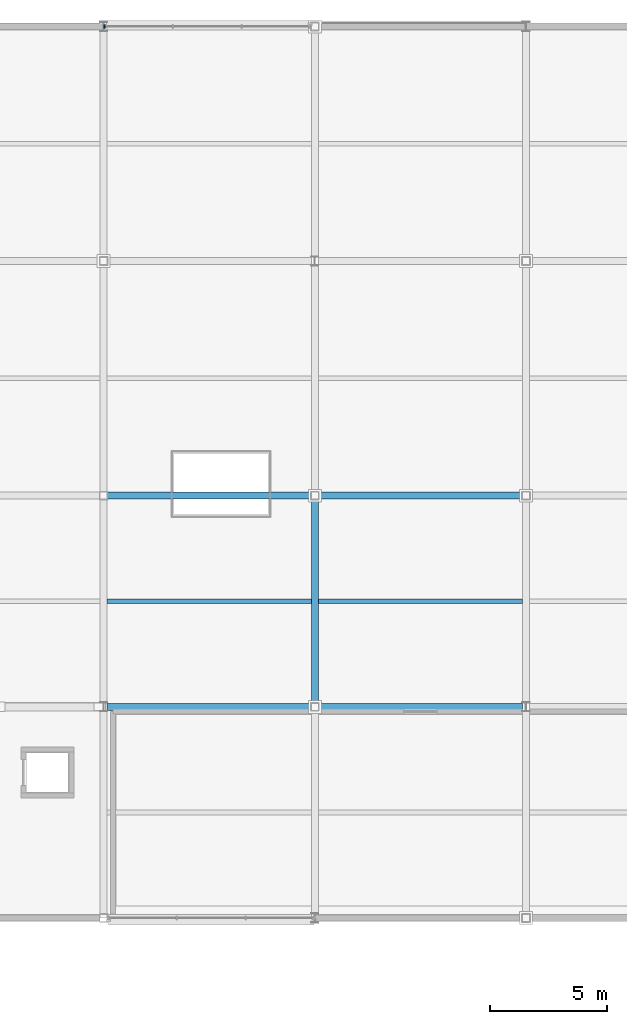
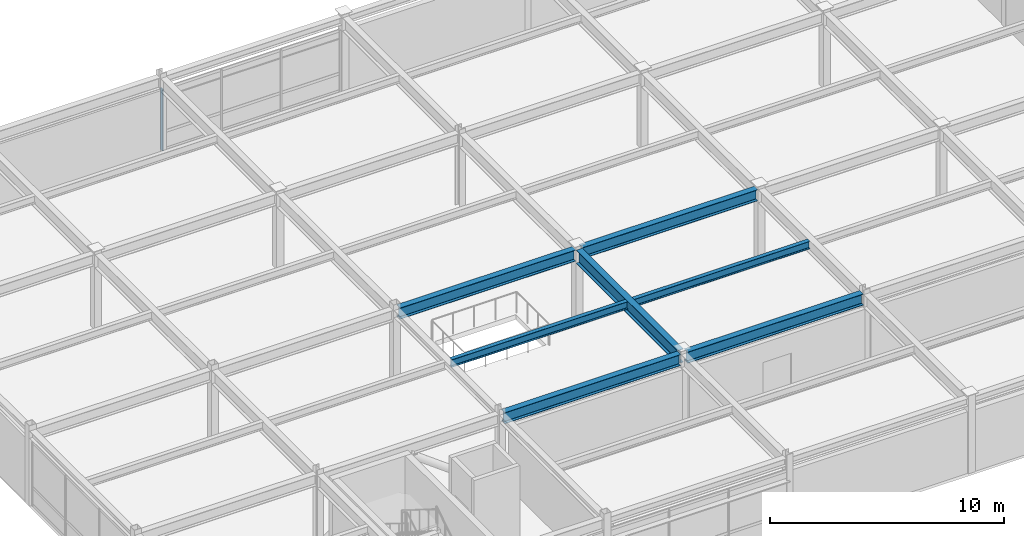
# One storey, part 22 of 40: 7 beams, 1 member, 1 element without a shape of its own.
"""IFC4 building model written with IfcOpenShell, lengths in metres."""

from ifc_helpers import new_model, si_unit, direction, frame, origin, origin_2d, place, context, subcontext, project, spatial, rectangle, i_section, extrude, material, material_profile, profile_set, type_object, element, aggregate, save


model = new_model("IFC4")

# Units and contexts
model_context = context("Model", 3, precision=1e-05, world=origin(), true_north=direction((0.0, 1.0)))
body_context = subcontext(model_context, "Body", "Model", "MODEL_VIEW")
ifc_project = project(units=[si_unit("LENGTHUNIT", "METRE"), si_unit("AREAUNIT", "SQUARE_METRE"), si_unit("VOLUMEUNIT", "CUBIC_METRE"), si_unit("PLANEANGLEUNIT", "RADIAN"), si_unit("MASSUNIT", "GRAM", prefix="KILO")], contexts=[model_context])

# Site, building, storey
site_placement = place(None, origin())
site = spatial("IfcSite", under=ifc_project, at=site_placement, CompositionType="ELEMENT")
building_placement = place(site_placement, origin())
building = spatial("IfcBuilding", under=site, at=building_placement, Name="Suzunagisa Mobility Hub", CompositionType="ELEMENT")
storey_placement = place(building_placement, frame((0.0, 0.0, 21.89990234375)))
storey = spatial("IfcBuildingStorey", under=building, at=storey_placement, Name="L05", CompositionType="ELEMENT", Elevation=21.89990234375)

# Curtain wall, member
ifc_material_1 = material(Name="Thermally Broken Anodized Aluminum and Low-E Glazing", Category="aluminium")
curtain_wall_type = type_object("IfcCurtainWallType", Name="Unitised Curtain Wall CW-13 8750x3200", PredefinedType="USERDEFINED", material=ifc_material_1)
curtain_wall_placement = place(storey_placement, origin())
curtain_wall = element("IfcCurtainWall", 1, at=curtain_wall_placement, inside=storey, type_object=curtain_wall_type, Name="L05 Unitised Curtain Wall CW-138", ObjectType="UNITISED CURTAIN WALL", PredefinedType="USERDEFINED")
ifc_material_2 = material(Name="Anodized Aluminum 6063-T6", Category="aluminium")
ifc_material_profile_1 = material_profile(ifc_material_2, rectangle(XDim=0.06005859375, YDim=0.14990234375, at=origin_2d()), Name="MULL-60x150")
ifc_profile_set_1 = profile_set([ifc_material_profile_1], Name="Anodized Aluminum 6063-T6")
member_type = type_object("IfcMemberType", Name="Curtain Wall Framing CM-03 MULL-60x150", PredefinedType="MULLION", material=ifc_profile_set_1)
member_placement = place(storey_placement, frame((63.034423828125, 118.0, 0.0), z_axis=(0.0, 0.0, 1.0), x_axis=(-1.0, 0.0, 0.0)))
member = element("IfcMember", 2, at=member_placement, type_object=member_type, Name="Curtain Wall Mullion 138-M4", PredefinedType="MULLION", context=body_context, shape_type="SweptSolid", body=[
    extrude(rectangle(XDim=0.06005859375, YDim=0.14990234375, at=origin_2d()), origin(), (0.0, 0.0, 1.0), 3.22021484375),
])
aggregate(curtain_wall, [member])

# Beams
ifc_material_3 = material(Name="Steel SN490B", Category="steel")
ifc_material_profile_2 = material_profile(ifc_material_3, i_section(OverallWidth=0.300048828125, OverallDepth=0.699951171875, WebThickness=0.012939453125, FlangeThickness=0.02392578125, FilletRadius=0.01806640625, at=origin_2d()), Name="H-700x300x13x24")
ifc_profile_set_2 = profile_set([ifc_material_profile_2], Name="Steel SN490B")
beam_type_1 = type_object("IfcBeamType", Name="Steel Beam BM-11 H-700x300x13x24", PredefinedType="BEAM", material=ifc_profile_set_2)
beam_placement = place(storey_placement, frame((72.0, 89.1708984375, 3.570068359375), z_axis=(0.0, 1.0, 0.0), x_axis=(-1.0, 0.0, 0.0)))
element("IfcBeam", 3, at=beam_placement, inside=storey, type_object=beam_type_1, Name="L05 Primary Girder GY-1272", PredefinedType="BEAM", context=body_context, shape_type="SweptSolid", body=[
    extrude(i_section(OverallWidth=0.300048828125, OverallDepth=0.699951171875, WebThickness=0.012939453125, FlangeThickness=0.02392578125, FilletRadius=0.01806640625, at=origin_2d()), origin(), (0.0, 0.0, 1.0), 8.658203125),
])
ifc_material_4 = material(Name="Steel SN400B", Category="steel")
ifc_material_profile_3 = material_profile(ifc_material_4, i_section(OverallWidth=0.199951171875, OverallDepth=0.39990234375, WebThickness=0.008056640625, FlangeThickness=0.012939453125, FilletRadius=0.012939453125, at=origin_2d()), Name="H-400x200x8x13")
ifc_profile_set_3 = profile_set([ifc_material_profile_3], Name="Steel SN400B")
beam_type_2 = type_object("IfcBeamType", Name="Steel Beam BM-14 H-400x200x8x13", PredefinedType="JOIST", material=ifc_profile_set_3)
for number, where, z_axis, x_axis, name in (
    (4, (63.14990234375, 93.5, 3.72021484375), (1.0, 0.0, 0.0), (0.0, 1.0, 0.0), "L05 Composite Floor Joist J-1288"),
    (5, (72.14990234375, 93.5, 3.72021484375), (1.0, 0.0, 0.0), (0.0, 1.0, 0.0), "L05 Composite Floor Joist J-1292"),
):
    element("IfcBeam", number, at=place(storey_placement, frame(where, z_axis=z_axis, x_axis=x_axis)), inside=storey, type_object=beam_type_2, Name=name, PredefinedType="JOIST", context=body_context, shape_type="SweptSolid", body=[
        extrude(i_section(OverallWidth=0.199951171875, OverallDepth=0.39990234375, WebThickness=0.008056640625, FlangeThickness=0.012939453125, FilletRadius=0.012939453125, at=origin_2d()), origin(), (0.0, 0.0, 1.0), 8.7001953125),
    ])
ifc_material_profile_4 = material_profile(ifc_material_3, i_section(OverallWidth=0.300048828125, OverallDepth=0.587890625, WebThickness=0.011962890625, FlangeThickness=0.02001953125, FilletRadius=0.012939453125, at=origin_2d()), Name="H-588x300x12x20")
ifc_profile_set_4 = profile_set([ifc_material_profile_4], Name="Steel SN490B")
beam_type_3 = type_object("IfcBeamType", Name="Steel Beam BM-16 H-588x300x12x20", PredefinedType="BEAM", material=ifc_profile_set_4)
for number, where, z_axis, x_axis, name in (
    (6, (63.14599609375, 89.0, 3.6259765625), (1.0, 0.0, 0.0), (0.0, 1.0, 0.0), "L05 Primary Girder GX-1253"),
    (7, (72.1708984375, 89.0, 3.6259765625), (1.0, 0.0, 0.0), (0.0, 1.0, 0.0), "L05 Primary Girder GX-1254"),
):
    element("IfcBeam", number, at=place(storey_placement, frame(where, z_axis=z_axis, x_axis=x_axis)), inside=storey, type_object=beam_type_3, Name=name, PredefinedType="BEAM", context=body_context, shape_type="SweptSolid", body=[
        extrude(i_section(OverallWidth=0.300048828125, OverallDepth=0.587890625, WebThickness=0.011962890625, FlangeThickness=0.02001953125, FilletRadius=0.012939453125, at=origin_2d()), origin(), (0.0, 0.0, 1.0), 8.68310546875),
    ])
for number, where, z_axis, x_axis, name in (
    (8, (63.1708984375, 98.0, 3.6259765625), (1.0, 0.0, 0.0), (0.0, 1.0, 0.0), "L05 Primary Girder GX-1257"),
    (9, (72.1708984375, 98.0, 3.6259765625), (1.0, 0.0, 0.0), (0.0, 1.0, 0.0), "L05 Primary Girder GX-1258"),
):
    element("IfcBeam", number, at=place(storey_placement, frame(where, z_axis=z_axis, x_axis=x_axis)), inside=storey, type_object=beam_type_3, Name=name, PredefinedType="BEAM", context=body_context, shape_type="SweptSolid", body=[
        extrude(i_section(OverallWidth=0.300048828125, OverallDepth=0.587890625, WebThickness=0.011962890625, FlangeThickness=0.02001953125, FilletRadius=0.012939453125, at=origin_2d()), origin(), (0.0, 0.0, 1.0), 8.658203125),
    ])

save(model, "model.ifc")
